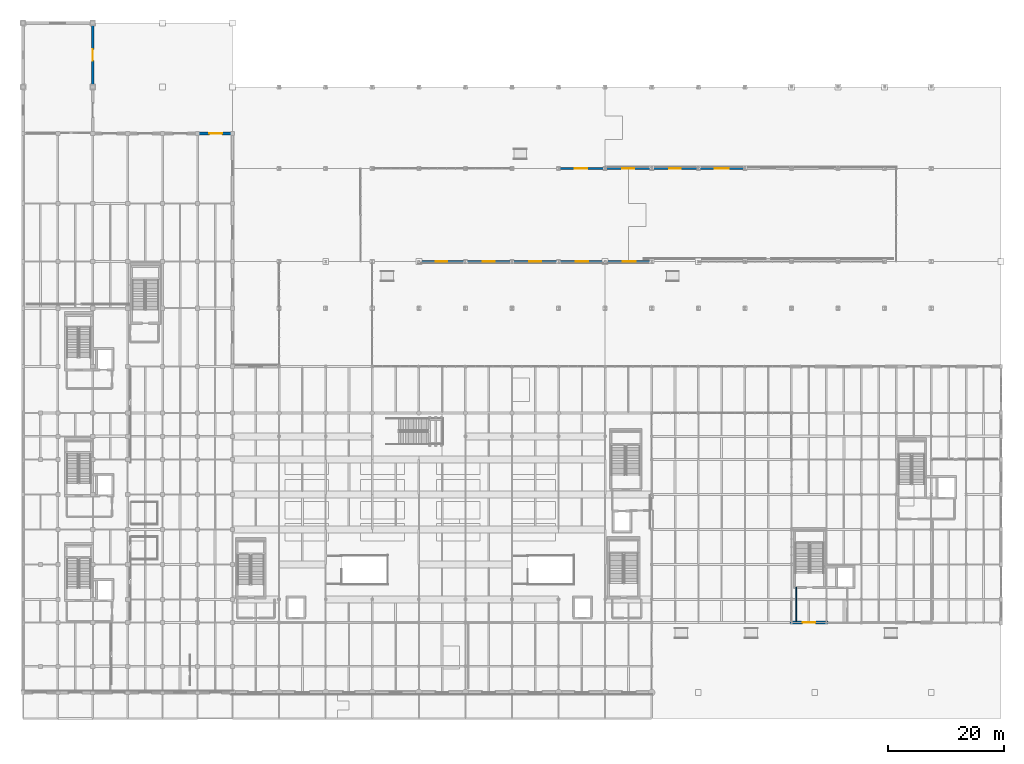
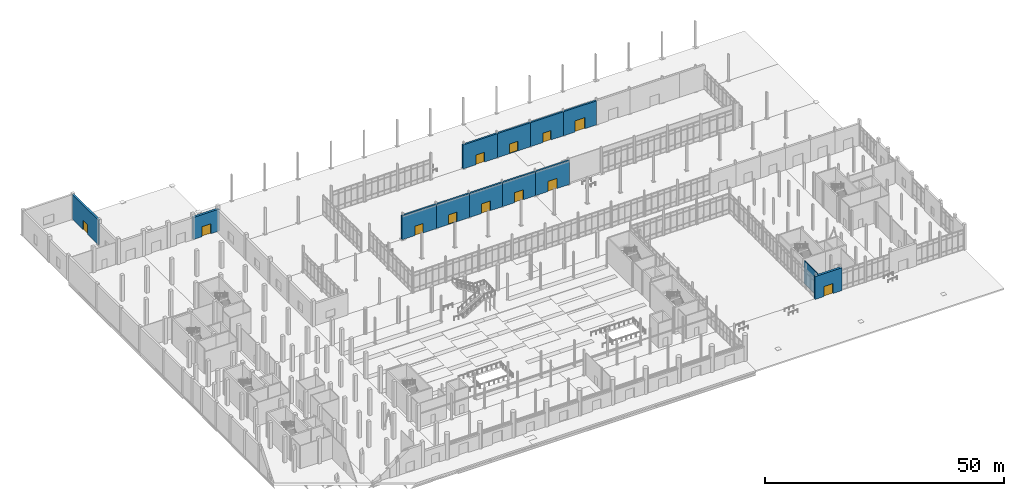
# One storey, part 124 of 140: 13 walls, 12 doors, 12 openings.
"""IFC4 building model written with IfcOpenShell, lengths in metres."""

from ifc_helpers import new_model, si_unit, direction, frame, frame_2d, origin, place, context, subcontext, project, spatial, rectangle, extrude, material, layer, layer_set, type_object, element, fill, save


model = new_model("IFC4")

# Units and contexts
model_context = context("Model", 3, precision=1e-05, world=origin(), true_north=direction((0.0, 1.0)))
body_context = subcontext(model_context, "Body", "Model", "MODEL_VIEW")
ifc_project = project(units=[si_unit("LENGTHUNIT", "METRE"), si_unit("AREAUNIT", "SQUARE_METRE"), si_unit("VOLUMEUNIT", "CUBIC_METRE"), si_unit("PLANEANGLEUNIT", "RADIAN"), si_unit("MASSUNIT", "GRAM", prefix="KILO")], contexts=[model_context])

# Site, building, storey
site_placement = place(None, origin())
site = spatial("IfcSite", under=ifc_project, at=site_placement, CompositionType="ELEMENT")
building_placement = place(site_placement, origin())
building = spatial("IfcBuilding", under=site, at=building_placement, Name="Verrall Gate Interchange", CompositionType="ELEMENT")
storey_placement = place(building_placement, origin())
storey = spatial("IfcBuildingStorey", under=building, at=storey_placement, Name="L01", CompositionType="ELEMENT", Elevation=0.0)

# Wall, opening, door
ifc_material_1 = material(Name="Tyndall Dolomitic Limestone Ashlar Cavity Assembly (U=0.18)", Category="masonry")
ifc_layer_1 = layer(ifc_material_1, 0.419921875)
ifc_layer_set_1 = layer_set([ifc_layer_1], Name="Tyndall Dolomitic Limestone Ashlar Cavity Assembly (U=0.18)")
wall_type_1 = type_object("IfcWallType", Name="EW-01 Exterior Solid Wall 420", PredefinedType="SOLIDWALL", material=ifc_layer_set_1)
wall_1_placement = place(storey_placement, frame((67.75, 74.0, 0.0), z_axis=(0.0, 0.0, 1.0), x_axis=(1.0, 0.0, 0.0)))
wall_1 = element("IfcWall", 1, at=wall_1_placement, inside=storey, type_object=wall_type_1, Name="L01 Classical Limestone Facade Wall 018", PredefinedType="SOLIDWALL", context=body_context, shape_type="SweptSolid", body=[
    extrude(rectangle(XDim=8.258056640625, YDim=0.419921875, at=frame_2d((4.12890625, 0.0))), origin(), (0.0, 0.0, 1.0), 6.147705078125),
])
opening_1_placement = place(wall_1_placement, frame((3.154052734375, 0.0, 0.0)))
opening_1 = element("IfcOpeningElement", 2, at=opening_1_placement, cuts=wall_1, Name="Opening E17", PredefinedType="OPENING", context=body_context, shape_type="SweptSolid", body=[
    extrude(rectangle(XDim=1.949951171875, YDim=2.39990234375, at=frame_2d((0.97509765625, 1.199951171875))), frame((0.0, 0.224853515625, 0.0), z_axis=(0.0, -1.0, 0.0), x_axis=(1.0, 0.0, 0.0)), (0.0, 0.0, 1.0), 0.44970703125),
])
ifc_material_2 = material(Name="Thermally Broken Bronze-Anodized Aluminium Entrance Assembly", Category="aluminium")
door_type_1 = type_object("IfcDoorType", Name="ED-01 Exterior Entrance Door 1950x2400", OperationType="NOTDEFINED", PredefinedType="DOOR", material=ifc_material_2)
door_1_placement = place(opening_1_placement, origin())
door_1 = element("IfcDoor", 3, at=door_1_placement, inside=storey, type_object=door_type_1, Name="Main Interchange Exit Portal E17", OperationType="DOUBLE_DOOR_SINGLE_SWING", OverallHeight=2.39990234375, OverallWidth=1.949951171875, PredefinedType="DOOR", context=body_context, shape_type="SweptSolid", body=[
    extrude(rectangle(XDim=1.949951171875, YDim=2.39990234375, at=frame_2d((0.97509765625, 1.199951171875))), frame((0.0, 0.02490234375, 0.0), z_axis=(0.0, -1.0, 0.0), x_axis=(1.0, 0.0, 0.0)), (0.0, 0.0, 1.0), 0.050048828125),
])
fill(opening_1, door_1)

wall_2_placement = place(storey_placement, frame((75.991943359375, 74.0, 0.0), z_axis=(0.0, 0.0, 1.0), x_axis=(1.0, 0.0, 0.0)))
wall_2 = element("IfcWall", 4, at=wall_2_placement, inside=storey, type_object=wall_type_1, Name="L01 Classical Limestone Facade Wall 019", PredefinedType="SOLIDWALL", context=body_context, shape_type="SweptSolid", body=[
    extrude(rectangle(XDim=8.01611328125, YDim=0.419921875, at=frame_2d((4.008056640625, 0.0))), origin(), (0.0, 0.0, 1.0), 6.147705078125),
])
opening_2_placement = place(wall_2_placement, frame((2.98291015625, 0.0, 0.0)))
opening_2 = element("IfcOpeningElement", 5, at=opening_2_placement, cuts=wall_2, Name="Opening E18", PredefinedType="OPENING", context=body_context, shape_type="SweptSolid", body=[
    extrude(rectangle(XDim=2.050048828125, YDim=2.449951171875, at=frame_2d((1.02490234375, 1.22509765625))), frame((0.0, 0.224853515625, 0.0), z_axis=(0.0, -1.0, 0.0), x_axis=(1.0, 0.0, 0.0)), (0.0, 0.0, 1.0), 0.44970703125),
])
ifc_material_3 = material(Name="Thermally Broken Bronze-Anodized Aluminium Entrance Assembly", Category="aluminium")
door_type_2 = type_object("IfcDoorType", Name="ED-02 Exterior Entrance Door 2050x2450", OperationType="NOTDEFINED", PredefinedType="DOOR", material=ifc_material_3)
door_2_placement = place(opening_2_placement, origin())
door_2 = element("IfcDoor", 6, at=door_2_placement, inside=storey, type_object=door_type_2, Name="Main Interchange Exit Portal E18", OperationType="DOUBLE_DOOR_SINGLE_SWING", OverallHeight=2.449951171875, OverallWidth=2.050048828125, PredefinedType="DOOR", context=body_context, shape_type="SweptSolid", body=[
    extrude(rectangle(XDim=2.050048828125, YDim=2.449951171875, at=frame_2d((1.02490234375, 1.22509765625))), frame((0.0, 0.02490234375, 0.0), z_axis=(0.0, -1.0, 0.0), x_axis=(1.0, 0.0, 0.0)), (0.0, 0.0, 1.0), 0.050048828125),
])
fill(opening_2, door_2)

wall_3_placement = place(storey_placement, frame((83.991943359375, 74.0, 0.0), z_axis=(0.0, 0.0, 1.0), x_axis=(1.0, 0.0, 0.0)))
wall_3 = element("IfcWall", 7, at=wall_3_placement, inside=storey, type_object=wall_type_1, Name="L01 Classical Limestone Facade Wall 020", PredefinedType="SOLIDWALL", context=body_context, shape_type="SweptSolid", body=[
    extrude(rectangle(XDim=8.01611328125, YDim=0.419921875, at=frame_2d((4.008056640625, 0.0))), origin(), (0.0, 0.0, 1.0), 6.147705078125),
])
opening_3_placement = place(wall_3_placement, frame((2.947998046875, 0.0, 0.0)))
opening_3 = element("IfcOpeningElement", 8, at=opening_3_placement, cuts=wall_3, Name="Opening E19", PredefinedType="OPENING", context=body_context, shape_type="SweptSolid", body=[
    extrude(rectangle(XDim=2.1201171875, YDim=2.5, at=frame_2d((1.06005859375, 1.25))), frame((0.0, 0.224853515625, 0.0), z_axis=(0.0, -1.0, 0.0), x_axis=(1.0, 0.0, 0.0)), (0.0, 0.0, 1.0), 0.44970703125),
])
ifc_material_4 = material(Name="Thermally Broken Bronze-Anodized Aluminium Entrance Assembly", Category="aluminium")
door_type_3 = type_object("IfcDoorType", Name="ED-03 Exterior Entrance Door 2120x2500", OperationType="NOTDEFINED", PredefinedType="DOOR", material=ifc_material_4)
door_3_placement = place(opening_3_placement, origin())
door_3 = element("IfcDoor", 9, at=door_3_placement, inside=storey, type_object=door_type_3, Name="Main Interchange Exit Portal E19", OperationType="DOUBLE_DOOR_SINGLE_SWING", OverallHeight=2.5, OverallWidth=2.1201171875, PredefinedType="DOOR", context=body_context, shape_type="SweptSolid", body=[
    extrude(rectangle(XDim=2.1201171875, YDim=2.5, at=frame_2d((1.06005859375, 1.25))), frame((0.0, 0.02490234375, 0.0), z_axis=(0.0, -1.0, 0.0), x_axis=(1.0, 0.0, 0.0)), (0.0, 0.0, 1.0), 0.050048828125),
])
fill(opening_3, door_3)

wall_4_placement = place(storey_placement, frame((91.991943359375, 74.0, 0.0), z_axis=(0.0, 0.0, 1.0), x_axis=(1.0, 0.0, 0.0)))
wall_4 = element("IfcWall", 10, at=wall_4_placement, inside=storey, type_object=wall_type_1, Name="L01 Classical Limestone Facade Wall 021", PredefinedType="SOLIDWALL", context=body_context, shape_type="SweptSolid", body=[
    extrude(rectangle(XDim=8.01611328125, YDim=0.419921875, at=frame_2d((4.008056640625, 0.0))), origin(), (0.0, 0.0, 1.0), 6.147705078125),
])
opening_4_placement = place(wall_4_placement, frame((2.91796875, 0.0, 0.0)))
opening_4 = element("IfcOpeningElement", 11, at=opening_4_placement, cuts=wall_4, Name="Opening E20", PredefinedType="OPENING", context=body_context, shape_type="SweptSolid", body=[
    extrude(rectangle(XDim=2.179931640625, YDim=2.550048828125, at=frame_2d((1.08984375, 1.27490234375))), frame((0.0, 0.224853515625, 0.0), z_axis=(0.0, -1.0, 0.0), x_axis=(1.0, 0.0, 0.0)), (0.0, 0.0, 1.0), 0.44970703125),
])
ifc_material_5 = material(Name="Thermally Broken Bronze-Anodized Aluminium Entrance Assembly", Category="aluminium")
door_type_4 = type_object("IfcDoorType", Name="ED-04 Exterior Entrance Door 2180x2550", OperationType="NOTDEFINED", PredefinedType="DOOR", material=ifc_material_5)
door_4_placement = place(opening_4_placement, origin())
door_4 = element("IfcDoor", 12, at=door_4_placement, inside=storey, type_object=door_type_4, Name="Main Interchange Exit Portal E20", OperationType="DOUBLE_DOOR_SINGLE_SWING", OverallHeight=2.550048828125, OverallWidth=2.179931640625, PredefinedType="DOOR", context=body_context, shape_type="SweptSolid", body=[
    extrude(rectangle(XDim=2.179931640625, YDim=2.550048828125, at=frame_2d((1.08984375, 1.27490234375))), frame((0.0, 0.02490234375, 0.0), z_axis=(0.0, -1.0, 0.0), x_axis=(1.0, 0.0, 0.0)), (0.0, 0.0, 1.0), 0.050048828125),
])
fill(opening_4, door_4)

wall_5_placement = place(storey_placement, frame((99.991943359375, 74.0, 0.0), z_axis=(0.0, 0.0, 1.0), x_axis=(1.0, 0.0, 0.0)))
wall_5 = element("IfcWall", 13, at=wall_5_placement, inside=storey, type_object=wall_type_1, Name="L01 Classical Limestone Facade Wall 022", PredefinedType="SOLIDWALL", context=body_context, shape_type="SweptSolid", body=[
    extrude(rectangle(XDim=8.258056640625, YDim=0.419921875, at=frame_2d((4.12890625, 0.0))), origin(), (0.0, 0.0, 1.0), 6.147705078125),
])
opening_5_placement = place(wall_5_placement, frame((3.009033203125, 0.0, 0.0)))
opening_5 = element("IfcOpeningElement", 14, at=opening_5_placement, cuts=wall_5, Name="Opening E21", PredefinedType="OPENING", context=body_context, shape_type="SweptSolid", body=[
    extrude(rectangle(XDim=2.239990234375, YDim=2.60009765625, at=frame_2d((1.1201171875, 1.300048828125))), frame((0.0, 0.224853515625, 0.0), z_axis=(0.0, -1.0, 0.0), x_axis=(1.0, 0.0, 0.0)), (0.0, 0.0, 1.0), 0.44970703125),
])
ifc_material_6 = material(Name="Thermally Broken Bronze-Anodized Aluminium Entrance Assembly", Category="aluminium")
door_type_5 = type_object("IfcDoorType", Name="ED-05 Exterior Entrance Door 2240x2600", OperationType="NOTDEFINED", PredefinedType="DOOR", material=ifc_material_6)
door_5_placement = place(opening_5_placement, origin())
door_5 = element("IfcDoor", 15, at=door_5_placement, inside=storey, type_object=door_type_5, Name="Main Interchange Exit Portal E21", OperationType="DOUBLE_DOOR_SINGLE_SWING", OverallHeight=2.60009765625, OverallWidth=2.239990234375, PredefinedType="DOOR", context=body_context, shape_type="SweptSolid", body=[
    extrude(rectangle(XDim=2.239990234375, YDim=2.60009765625, at=frame_2d((1.1201171875, 1.300048828125))), frame((0.0, 0.02490234375, 0.0), z_axis=(0.0, -1.0, 0.0), x_axis=(1.0, 0.0, 0.0)), (0.0, 0.0, 1.0), 0.050048828125),
])
fill(opening_5, door_5)

wall_6_placement = place(storey_placement, frame((124.008056640625, 90.0, 0.0), z_axis=(0.0, 0.0, 1.0), x_axis=(-1.0, 0.0, 0.0)))
wall_6 = element("IfcWall", 16, at=wall_6_placement, inside=storey, type_object=wall_type_1, Name="L01 Classical Limestone Facade Wall 026", PredefinedType="SOLIDWALL", context=body_context, shape_type="SweptSolid", body=[
    extrude(rectangle(XDim=8.01611328125, YDim=0.419921875, at=frame_2d((4.008056640625, 0.0))), origin(), (0.0, 0.0, 1.0), 6.147705078125),
])
opening_6_placement = place(wall_6_placement, frame((2.818115234375, 0.0, 0.0)))
opening_6 = element("IfcOpeningElement", 17, at=opening_6_placement, cuts=wall_6, Name="Opening E24", PredefinedType="OPENING", context=body_context, shape_type="SweptSolid", body=[
    extrude(rectangle(XDim=2.3798828125, YDim=2.85009765625, at=frame_2d((1.18994140625, 1.425048828125))), frame((0.0, 0.224853515625, 0.0), z_axis=(0.0, -1.0, 0.0), x_axis=(1.0, 0.0, 0.0)), (0.0, 0.0, 1.0), 0.44970703125),
])
ifc_material_7 = material(Name="Thermally Broken Bronze-Anodized Aluminium Entrance Assembly", Category="aluminium")
door_type_6 = type_object("IfcDoorType", Name="ED-08 Exterior Entrance Door 2380x2850", OperationType="NOTDEFINED", PredefinedType="DOOR", material=ifc_material_7)
door_6_placement = place(opening_6_placement, origin())
door_6 = element("IfcDoor", 18, at=door_6_placement, inside=storey, type_object=door_type_6, Name="Main Interchange Exit Portal E24", OperationType="DOUBLE_DOOR_SINGLE_SWING", OverallHeight=2.85009765625, OverallWidth=2.3798828125, PredefinedType="DOOR", context=body_context, shape_type="SweptSolid", body=[
    extrude(rectangle(XDim=2.3798828125, YDim=2.85009765625, at=frame_2d((1.18994140625, 1.425048828125))), frame((0.0, 0.02490234375, 0.0), z_axis=(0.0, -1.0, 0.0), x_axis=(1.0, 0.0, 0.0)), (0.0, 0.0, 1.0), 0.050048828125),
])
fill(opening_6, door_6)

wall_7_placement = place(storey_placement, frame((116.008056640625, 90.0, 0.0), z_axis=(0.0, 0.0, 1.0), x_axis=(-1.0, 0.0, 0.0)))
wall_7 = element("IfcWall", 19, at=wall_7_placement, inside=storey, type_object=wall_type_1, Name="L01 Classical Limestone Facade Wall 027", PredefinedType="SOLIDWALL", context=body_context, shape_type="SweptSolid", body=[
    extrude(rectangle(XDim=8.01611328125, YDim=0.419921875, at=frame_2d((4.008056640625, 0.0))), origin(), (0.0, 0.0, 1.0), 6.147705078125),
])
opening_7_placement = place(wall_7_placement, frame((3.032958984375, 0.0, 0.0)))
opening_7 = element("IfcOpeningElement", 20, at=opening_7_placement, cuts=wall_7, Name="Opening E25", PredefinedType="OPENING", context=body_context, shape_type="SweptSolid", body=[
    extrude(rectangle(XDim=1.949951171875, YDim=2.39990234375, at=frame_2d((0.97509765625, 1.199951171875))), frame((0.0, 0.224853515625, 0.0), z_axis=(0.0, -1.0, 0.0), x_axis=(1.0, 0.0, 0.0)), (0.0, 0.0, 1.0), 0.44970703125),
])
door_7_placement = place(opening_7_placement, origin())
door_7 = element("IfcDoor", 21, at=door_7_placement, inside=storey, type_object=door_type_1, Name="Main Interchange Exit Portal E25", OperationType="DOUBLE_DOOR_SINGLE_SWING", OverallHeight=2.39990234375, OverallWidth=1.949951171875, PredefinedType="DOOR", context=body_context, shape_type="SweptSolid", body=[
    extrude(rectangle(XDim=1.949951171875, YDim=2.39990234375, at=frame_2d((0.97509765625, 1.199951171875))), frame((0.0, 0.02490234375, 0.0), z_axis=(0.0, -1.0, 0.0), x_axis=(1.0, 0.0, 0.0)), (0.0, 0.0, 1.0), 0.050048828125),
])
fill(opening_7, door_7)

wall_8_placement = place(storey_placement, frame((108.008056640625, 90.0, 0.0), z_axis=(0.0, 0.0, 1.0), x_axis=(-1.0, 0.0, 0.0)))
wall_8 = element("IfcWall", 22, at=wall_8_placement, inside=storey, type_object=wall_type_1, Name="L01 Classical Limestone Facade Wall 028", PredefinedType="SOLIDWALL", context=body_context, shape_type="SweptSolid", body=[
    extrude(rectangle(XDim=8.01611328125, YDim=0.419921875, at=frame_2d((4.008056640625, 0.0))), origin(), (0.0, 0.0, 1.0), 6.147705078125),
])
opening_8_placement = place(wall_8_placement, frame((2.98291015625, 0.0, 0.0)))
opening_8 = element("IfcOpeningElement", 23, at=opening_8_placement, cuts=wall_8, Name="Opening E26", PredefinedType="OPENING", context=body_context, shape_type="SweptSolid", body=[
    extrude(rectangle(XDim=2.050048828125, YDim=2.449951171875, at=frame_2d((1.02490234375, 1.22509765625))), frame((0.0, 0.224853515625, 0.0), z_axis=(0.0, -1.0, 0.0), x_axis=(1.0, 0.0, 0.0)), (0.0, 0.0, 1.0), 0.44970703125),
])
door_8_placement = place(opening_8_placement, origin())
door_8 = element("IfcDoor", 24, at=door_8_placement, inside=storey, type_object=door_type_2, Name="Main Interchange Exit Portal E26", OperationType="DOUBLE_DOOR_SINGLE_SWING", OverallHeight=2.449951171875, OverallWidth=2.050048828125, PredefinedType="DOOR", context=body_context, shape_type="SweptSolid", body=[
    extrude(rectangle(XDim=2.050048828125, YDim=2.449951171875, at=frame_2d((1.02490234375, 1.22509765625))), frame((0.0, 0.02490234375, 0.0), z_axis=(0.0, -1.0, 0.0), x_axis=(1.0, 0.0, 0.0)), (0.0, 0.0, 1.0), 0.050048828125),
])
fill(opening_8, door_8)

wall_9_placement = place(storey_placement, frame((100.008056640625, 90.0, 0.0), z_axis=(0.0, 0.0, 1.0), x_axis=(-1.0, 0.0, 0.0)))
wall_9 = element("IfcWall", 25, at=wall_9_placement, inside=storey, type_object=wall_type_1, Name="L01 Classical Limestone Facade Wall 029", PredefinedType="SOLIDWALL", context=body_context, shape_type="SweptSolid", body=[
    extrude(rectangle(XDim=8.258056640625, YDim=0.419921875, at=frame_2d((4.12890625, 0.0))), origin(), (0.0, 0.0, 1.0), 6.147705078125),
])
opening_9_placement = place(wall_9_placement, frame((3.069091796875, 0.0, 0.0)))
opening_9 = element("IfcOpeningElement", 26, at=opening_9_placement, cuts=wall_9, Name="Opening E27", PredefinedType="OPENING", context=body_context, shape_type="SweptSolid", body=[
    extrude(rectangle(XDim=2.1201171875, YDim=2.5, at=frame_2d((1.06005859375, 1.25))), frame((0.0, 0.224853515625, 0.0), z_axis=(0.0, -1.0, 0.0), x_axis=(1.0, 0.0, 0.0)), (0.0, 0.0, 1.0), 0.44970703125),
])
door_9_placement = place(opening_9_placement, origin())
door_9 = element("IfcDoor", 27, at=door_9_placement, inside=storey, type_object=door_type_3, Name="Main Interchange Exit Portal E27", OperationType="DOUBLE_DOOR_SINGLE_SWING", OverallHeight=2.5, OverallWidth=2.1201171875, PredefinedType="DOOR", context=body_context, shape_type="SweptSolid", body=[
    extrude(rectangle(XDim=2.1201171875, YDim=2.5, at=frame_2d((1.06005859375, 1.25))), frame((0.0, 0.02490234375, 0.0), z_axis=(0.0, -1.0, 0.0), x_axis=(1.0, 0.0, 0.0)), (0.0, 0.0, 1.0), 0.050048828125),
])
fill(opening_9, door_9)

ifc_material_8 = material(Name="Tyndall Dolomitic Limestone Ashlar Cavity Assembly (U=0.18)", Category="masonry")
ifc_layer_2 = layer(ifc_material_8, 0.4599609375)
ifc_layer_set_2 = layer_set([ifc_layer_2], Name="Tyndall Dolomitic Limestone Ashlar Cavity Assembly (U=0.18)")
wall_type_2 = type_object("IfcWallType", Name="EW-02 Exterior Solid Wall 460", PredefinedType="SOLIDWALL", material=ifc_layer_set_2)
wall_10_placement = place(storey_placement, frame((12.0, 103.991943359375, 0.0), z_axis=(0.0, 0.0, 1.0), x_axis=(0.0, 1.0, 0.0)))
wall_10 = element("IfcWall", 28, at=wall_10_placement, inside=storey, type_object=wall_type_2, Name="L01 Classical Limestone Facade Wall 051", PredefinedType="SOLIDWALL", context=body_context, shape_type="SweptSolid", body=[
    extrude(rectangle(XDim=11.01611328125, YDim=0.4599609375, at=frame_2d((5.508056640625, 0.0))), origin(), (0.0, 0.0, 1.0), 6.320068359375),
])
opening_10_placement = place(wall_10_placement, frame((4.532958984375, 0.0, 0.0)))
opening_10 = element("IfcOpeningElement", 29, at=opening_10_placement, cuts=wall_10, Name="Opening E41", PredefinedType="OPENING", context=body_context, shape_type="SweptSolid", body=[
    extrude(rectangle(XDim=1.949951171875, YDim=2.39990234375, at=frame_2d((0.97509765625, 1.199951171875))), frame((0.0, 0.244873046875, 0.0), z_axis=(0.0, -1.0, 0.0), x_axis=(1.0, 0.0, 0.0)), (0.0, 0.0, 1.0), 0.48974609375),
])
door_10_placement = place(opening_10_placement, origin())
door_10 = element("IfcDoor", 30, at=door_10_placement, inside=storey, type_object=door_type_1, Name="Main Interchange Exit Portal E41", OperationType="DOUBLE_DOOR_SINGLE_SWING", OverallHeight=2.39990234375, OverallWidth=1.949951171875, PredefinedType="DOOR", context=body_context, shape_type="SweptSolid", body=[
    extrude(rectangle(XDim=1.949951171875, YDim=2.39990234375, at=frame_2d((0.97509765625, 1.199951171875))), frame((0.0, 0.02490234375, 0.0), z_axis=(0.0, -1.0, 0.0), x_axis=(1.0, 0.0, 0.0)), (0.0, 0.0, 1.0), 0.050048828125),
])
fill(opening_10, door_10)

ifc_material_9 = material(Name="Prairie Charcoal Granite Plinth Rainscreen Assembly (U=0.18)", Category="masonry")
ifc_layer_3 = layer(ifc_material_9, 0.52001953125)
ifc_layer_set_3 = layer_set([ifc_layer_3], Name="Prairie Charcoal Granite Plinth Rainscreen Assembly (U=0.18)")
wall_type_3 = type_object("IfcWallType", Name="EW-03 Exterior Solid Wall 520", PredefinedType="SOLIDWALL", material=ifc_layer_set_3)
wall_11_placement = place(storey_placement, frame((138.25, 12.0, 0.0), z_axis=(0.0, 0.0, 1.0), x_axis=(-1.0, 0.0, 0.0)))
wall_11 = element("IfcWall", 31, at=wall_11_placement, inside=storey, type_object=wall_type_3, Name="L01 Classical Limestone Facade Wall 030", PredefinedType="SOLIDWALL", context=body_context, shape_type="SweptSolid", body=[
    extrude(rectangle(XDim=6.5, YDim=0.52001953125, at=frame_2d((3.25, 0.0))), origin(), (0.0, 0.0, 1.0), 5.8369140625),
])
opening_11_placement = place(wall_11_placement, frame((2.159912109375, 0.0, 0.0)))
opening_11 = element("IfcOpeningElement", 32, at=opening_11_placement, cuts=wall_11, Name="Opening E28", PredefinedType="OPENING", context=body_context, shape_type="SweptSolid", body=[
    extrude(rectangle(XDim=2.179931640625, YDim=2.550048828125, at=frame_2d((1.08984375, 1.27490234375))), frame((0.0, 0.27490234375, 0.0), z_axis=(0.0, -1.0, 0.0), x_axis=(1.0, 0.0, 0.0)), (0.0, 0.0, 1.0), 0.5498046875),
])
door_11_placement = place(opening_11_placement, origin())
door_11 = element("IfcDoor", 33, at=door_11_placement, inside=storey, type_object=door_type_4, Name="Main Interchange Exit Portal E28", OperationType="DOUBLE_DOOR_SINGLE_SWING", OverallHeight=2.550048828125, OverallWidth=2.179931640625, PredefinedType="DOOR", context=body_context, shape_type="SweptSolid", body=[
    extrude(rectangle(XDim=2.179931640625, YDim=2.550048828125, at=frame_2d((1.08984375, 1.27490234375))), frame((0.0, 0.02490234375, 0.0), z_axis=(0.0, -1.0, 0.0), x_axis=(1.0, 0.0, 0.0)), (0.0, 0.0, 1.0), 0.050048828125),
])
fill(opening_11, door_11)

wall_12_placement = place(storey_placement, frame((36.25, 96.0, 0.0), z_axis=(0.0, 0.0, 1.0), x_axis=(-1.0, 0.0, 0.0)))
wall_12 = element("IfcWall", 34, at=wall_12_placement, inside=storey, type_object=wall_type_3, Name="L01 Classical Limestone Facade Wall 046", PredefinedType="SOLIDWALL", context=body_context, shape_type="SweptSolid", body=[
    extrude(rectangle(XDim=6.258056640625, YDim=0.52001953125, at=frame_2d((3.12890625, 0.0))), origin(), (0.0, 0.0, 1.0), 5.60693359375),
])
opening_12_placement = place(wall_12_placement, frame((2.0390625, 0.0, 0.0)))
opening_12 = element("IfcOpeningElement", 35, at=opening_12_placement, cuts=wall_12, Name="Opening E36", PredefinedType="OPENING", context=body_context, shape_type="SweptSolid", body=[
    extrude(rectangle(XDim=2.179931640625, YDim=2.550048828125, at=frame_2d((1.08984375, 1.27490234375))), frame((0.0, 0.27490234375, 0.0), z_axis=(0.0, -1.0, 0.0), x_axis=(1.0, 0.0, 0.0)), (0.0, 0.0, 1.0), 0.5498046875),
])
door_12_placement = place(opening_12_placement, origin())
door_12 = element("IfcDoor", 36, at=door_12_placement, inside=storey, type_object=door_type_4, Name="Main Interchange Exit Portal E36", OperationType="DOUBLE_DOOR_SINGLE_SWING", OverallHeight=2.550048828125, OverallWidth=2.179931640625, PredefinedType="DOOR", context=body_context, shape_type="SweptSolid", body=[
    extrude(rectangle(XDim=2.179931640625, YDim=2.550048828125, at=frame_2d((1.08984375, 1.27490234375))), frame((0.0, 0.02490234375, 0.0), z_axis=(0.0, -1.0, 0.0), x_axis=(1.0, 0.0, 0.0)), (0.0, 0.0, 1.0), 0.050048828125),
])
fill(opening_12, door_12)

# Wall
ifc_material_10 = material(Name="Fire-Rated Type X Gypsum Stud Partition Assembly (60 min)", Category="gypsum")
ifc_layer_4 = layer(ifc_material_10, 0.199951171875)
ifc_layer_set_4 = layer_set([ifc_layer_4], Name="Fire-Rated Type X Gypsum Stud Partition Assembly (60 min)")
wall_type_4 = type_object("IfcWallType", Name="IW-01 Interior Partition Wall 200", PredefinedType="PARTITIONING", material=ifc_layer_set_4)
wall_13_placement = place(storey_placement, frame((132.800048828125, 18.050048828125, 0.0), z_axis=(0.0, 0.0, 1.0), x_axis=(0.0, -1.0, 0.0)))
element("IfcWall", 37, at=wall_13_placement, inside=storey, type_object=wall_type_4, Name="L01 Core C8 Lobby West Rated Wall", PredefinedType="PARTITIONING", context=body_context, shape_type="SweptSolid", body=[
    extrude(rectangle(XDim=5.820068359375, YDim=0.199951171875, at=frame_2d((2.91015625, 0.0))), origin(), (0.0, 0.0, 1.0), 5.8369140625),
])

save(model, "model.ifc")
